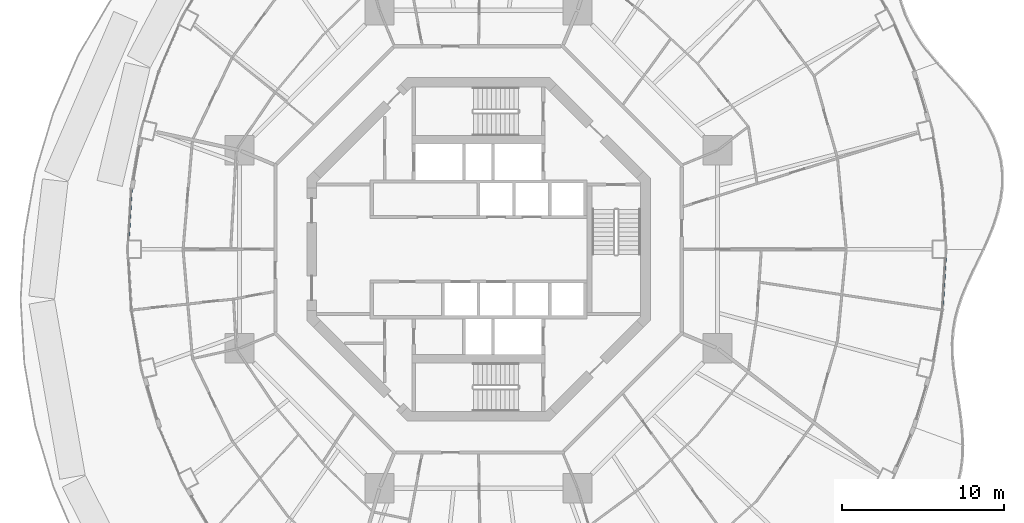
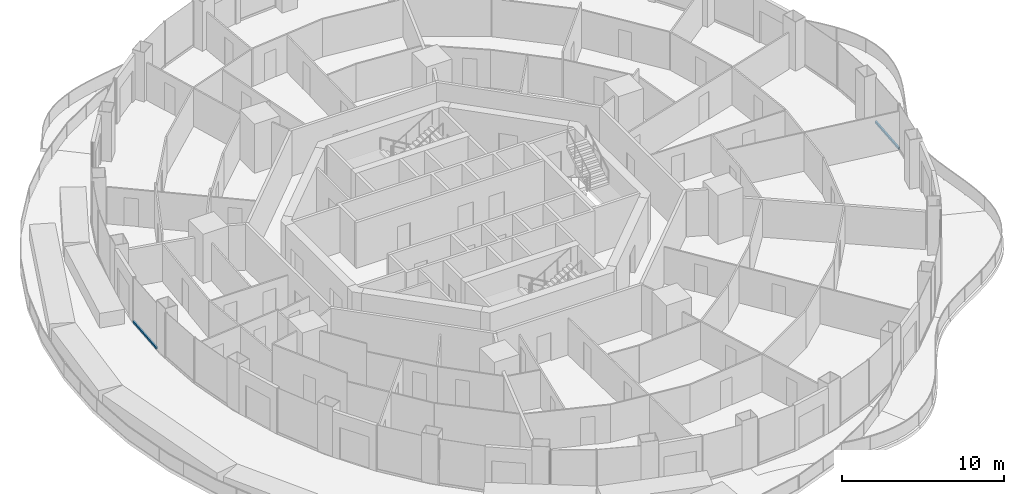
# One storey, part 5 of 20: 2 members, 2 elements without a shape of their own.
"""IFC4 building model written with IfcOpenShell, lengths in metres."""

from ifc_helpers import new_model, si_unit, direction, frame, origin, origin_2d, place, context, subcontext, project, spatial, rectangle, extrude, material, layer, layer_set, material_profile, profile_set, type_object, element, aggregate, save


model = new_model("IFC4")

# Units and contexts
model_context = context("Model", 3, precision=1e-05, world=origin(), true_north=direction((0.0, 1.0)))
body_context = subcontext(model_context, "Body", "Model", "MODEL_VIEW")
ifc_project = project(units=[si_unit("LENGTHUNIT", "METRE"), si_unit("AREAUNIT", "SQUARE_METRE"), si_unit("VOLUMEUNIT", "CUBIC_METRE"), si_unit("PLANEANGLEUNIT", "RADIAN"), si_unit("MASSUNIT", "GRAM", prefix="KILO")], contexts=[model_context])

# Site, building, storey
site_placement = place(None, origin())
site = spatial("IfcSite", under=ifc_project, at=site_placement, CompositionType="ELEMENT")
building_placement = place(site_placement, origin())
building = spatial("IfcBuilding", under=site, at=building_placement, Name="Nagisa Residences", CompositionType="ELEMENT")
storey_placement = place(building_placement, frame((0.0, 0.0, 165.89990234375)))
storey = spatial("IfcBuildingStorey", under=building, at=storey_placement, Name="L41", CompositionType="ELEMENT", Elevation=165.89990234375)

# Curtain wall, member
ifc_material_1 = material(Name="Concrete-coloured aluminium curtain wall system", Category="concrete")
ifc_layer = layer(ifc_material_1, 0.159912109375)
ifc_layer_set = layer_set([ifc_layer], Name="CW1 CURTAIN WALL")
curtain_wall_type = type_object("IfcCurtainWallType", Name="CW1 CURTAIN WALL", PredefinedType="NOTDEFINED", material=ifc_layer_set)
curtain_wall_1_placement = place(storey_placement, origin())
curtain_wall_1 = element("IfcCurtainWall", 1, at=curtain_wall_1_placement, inside=storey, type_object=curtain_wall_type, Name="cw:CW1:L41:23", PredefinedType="NOTDEFINED")
ifc_material_2 = material(Name="Concrete-coloured aluminium", Category="concrete")
ifc_material_profile = material_profile(ifc_material_2, rectangle(XDim=0.1201171875, YDim=0.14990234375, at=origin_2d()), Name="CW1 TRANSOM 120x150")
ifc_profile_set = profile_set([ifc_material_profile], Name="Concrete-coloured aluminium")
member_type = type_object("IfcMemberType", Name="CW1 TRANSOM 120x150", PredefinedType="USERDEFINED", material=ifc_profile_set)
member_1_placement = place(storey_placement, frame((-21.47802734375, 3.764404296875, 0.0751953125), z_axis=(-0.057528345118, -0.998343873376, 0.0), x_axis=(0.998343873376, -0.057528345118, 0.0)))
member_1 = element("IfcMember", 2, at=member_1_placement, type_object=member_type, Name="CW1 transom", ObjectType="TRANSOM", PredefinedType="USERDEFINED", context=body_context, shape_type="SweptSolid", body=[
    extrude(rectangle(XDim=0.1201171875, YDim=0.14990234375, at=origin_2d()), origin(), (0.0, 0.0, 1.0), 3.225341796875),
])
aggregate(curtain_wall_1, [member_1])

curtain_wall_2_placement = place(storey_placement, origin())
curtain_wall_2 = element("IfcCurtainWall", 3, at=curtain_wall_2_placement, inside=storey, type_object=curtain_wall_type, Name="cw:CW1:L41:47", PredefinedType="NOTDEFINED")
member_2_placement = place(storey_placement, frame((28.677978515625, -3.764404296875, 0.0751953125), z_axis=(0.057528345118, 0.998343873376, 0.0), x_axis=(-0.998343873376, 0.057528345118, 0.0)))
member_2 = element("IfcMember", 4, at=member_2_placement, type_object=member_type, Name="CW1 transom", ObjectType="TRANSOM", PredefinedType="USERDEFINED", context=body_context, shape_type="SweptSolid", body=[
    extrude(rectangle(XDim=0.1201171875, YDim=0.14990234375, at=origin_2d()), origin(), (0.0, 0.0, 1.0), 3.225341796875),
])
aggregate(curtain_wall_2, [member_2])

save(model, "model.ifc")
